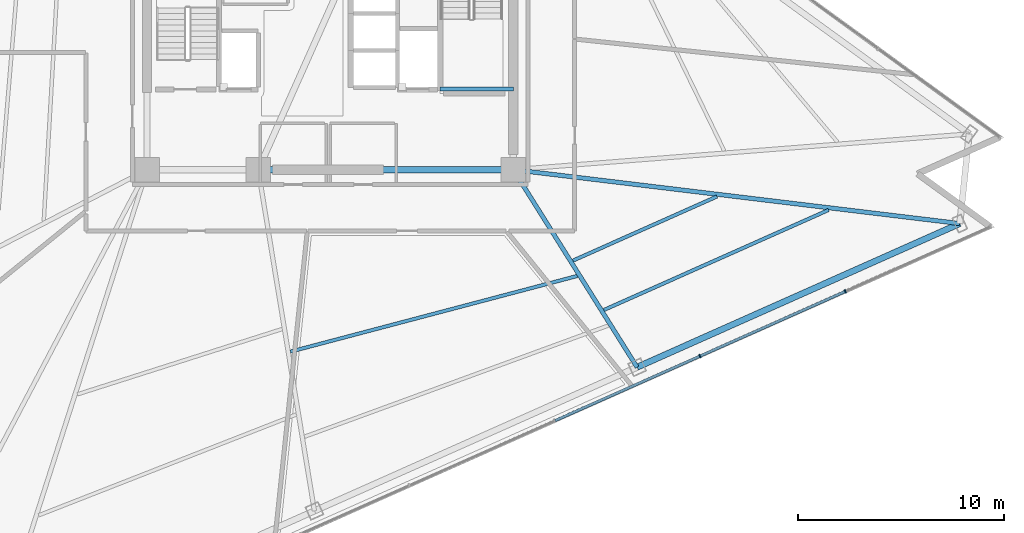
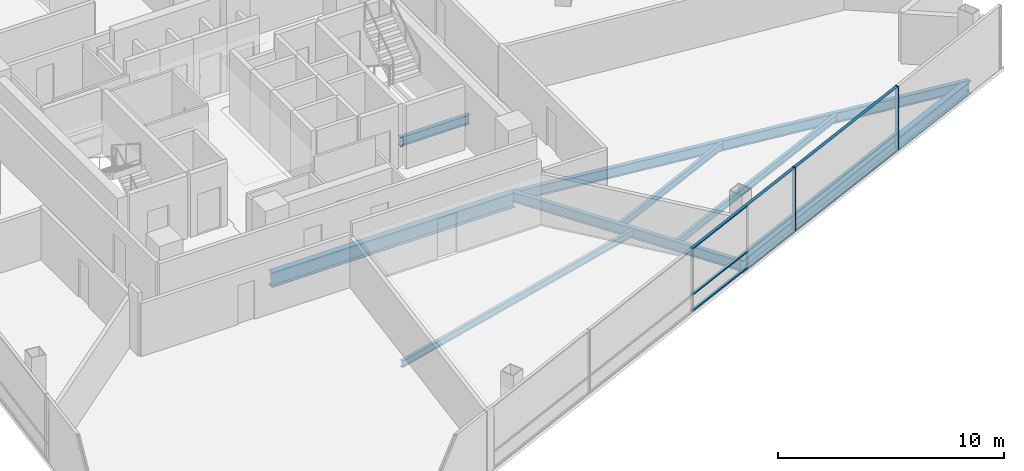
# One storey, part 5 of 17: 8 beams, 8 members, 1 element without a shape of its own.
"""IFC4 building model written with IfcOpenShell, lengths in metres."""

import ifcopenshell
import ifcopenshell.guid

model = None  # the IFC model being written
_history = None  # IfcOwnerHistory: only IFC2X3 demands one
_inside = {}  # id of a spatial element -> (the spatial element, [elements in it])
_under = {}  # id of a project, library or spatial element -> (it, [spatial elements below it])
_declared = {}  # id of a project -> (the project, [libraries it declares])
_typed = {}  # id of a type object -> (the type object, [elements of that type])
_made_of = {}  # id of a material, layer set ... -> (it, [elements and type objects made of it])


def new_model(schema):
    """Start an empty IFC model of exactly this schema.

    Asked for "IFC4X3", IfcOpenShell would pick the latest addendum, in which some entities
    have other attributes; the version numbers below select the first issue.
    IFC2X3 requires an IfcOwnerHistory on every rooted entity: one is made here for all.
    """
    global model, _history
    if schema == "IFC4X3":
        model = ifcopenshell.file(schema_version=(4, 3, 0, 0))
    else:
        model = ifcopenshell.file(schema=schema)
    _inside.clear()
    _under.clear()
    _declared.clear()
    _typed.clear()
    _made_of.clear()
    _history = None
    if model.schema == "IFC2X3":
        org = make("IfcOrganization", Name="unknown")
        user = make(
            "IfcPersonAndOrganization",
            ThePerson=make("IfcPerson", FamilyName="unknown"),
            TheOrganization=org,
        )
        app = make(
            "IfcApplication",
            ApplicationDeveloper=org,
            Version="unknown",
            ApplicationFullName="unknown",
            ApplicationIdentifier="unknown",
        )
        _history = make(
            "IfcOwnerHistory",
            OwningUser=user,
            OwningApplication=app,
            ChangeAction="ADDED",
            CreationDate=0,
        )
    return model


def make(cls, **values):
    """One entity of the class cls with the attributes given. An attribute that is None is left unset."""
    return model.create_entity(
        cls, **{name: value for name, value in values.items() if value is not None}
    )


def rooted(cls, **values):
    """An entity with a GlobalId (a new one), such as an element, a storey or a relation."""
    return make(cls, GlobalId=ifcopenshell.guid.new(), OwnerHistory=_history, **values)


def si_unit(unit_type, name, prefix=None):
    """IfcSIUnit, for example si_unit("LENGTHUNIT", "METRE", prefix="MILLI")."""
    return make("IfcSIUnit", UnitType=unit_type, Prefix=prefix, Name=name)


def assignment(units):
    """IfcUnitAssignment: the units of a project."""
    return None if units is None else make("IfcUnitAssignment", Units=units)


def point(xyz):
    """IfcCartesianPoint."""
    return None if xyz is None else make("IfcCartesianPoint", Coordinates=xyz)


def direction(xyz):
    """IfcDirection."""
    return None if xyz is None else make("IfcDirection", DirectionRatios=xyz)


def frame(location, z_axis=None, x_axis=None):
    """IfcAxis2Placement3D, a coordinate frame: its origin and axes. An axis left out is left unset."""
    return make(
        "IfcAxis2Placement3D",
        Location=point(location),
        Axis=direction(z_axis),
        RefDirection=direction(x_axis),
    )


def frame_2d(location, x_axis=None):
    """IfcAxis2Placement2D, a coordinate frame in the plane: its origin and x axis."""
    return make(
        "IfcAxis2Placement2D", Location=point(location), RefDirection=direction(x_axis)
    )


def origin():
    """The frame at (0, 0, 0) with its axes left unset."""
    return frame((0.0, 0.0, 0.0))


def origin_2d():
    """The frame at (0, 0) in the plane with its x axis left unset."""
    return frame_2d((0.0, 0.0))


def place(relative_to, where):
    """IfcLocalPlacement: puts the frame where relative to a parent placement (None: the world)."""
    return make(
        "IfcLocalPlacement", PlacementRelTo=relative_to, RelativePlacement=where
    )


def context(
    kind, dimensions, precision=None, world=None, true_north=None, identifier=None
):
    """IfcGeometricRepresentationContext, for example the 3D "Model" context."""
    return make(
        "IfcGeometricRepresentationContext",
        ContextIdentifier=identifier,
        ContextType=kind,
        CoordinateSpaceDimension=dimensions,
        Precision=precision,
        WorldCoordinateSystem=world,
        TrueNorth=true_north,
    )


def subcontext(parent, identifier, kind, view, scale=None):
    """IfcGeometricRepresentationSubContext, for example "Body" below "Model"."""
    return make(
        "IfcGeometricRepresentationSubContext",
        ContextIdentifier=identifier,
        ContextType=kind,
        ParentContext=parent,
        TargetScale=scale,
        TargetView=view,
    )


def project(units=None, contexts=None):
    """IfcProject with its units and contexts."""
    return rooted(
        "IfcProject",
        Name="project",
        RepresentationContexts=contexts,
        UnitsInContext=assignment(units),
    )


def spatial(cls, under=None, at=None, **own):
    """A site, building, storey or space (cls), placed at a placement, below another one or the project."""
    s = rooted(cls, ObjectPlacement=at, **own)
    if under is not None:
        _under.setdefault(under.id(), (under, []))[1].append(s)
    return s


def profile(cls, at=None, kind="AREA", **sizes):
    """A parametric profile (cls). Its sizes go by their IFC names, for example OverallWidth=200.0."""
    return make(cls, ProfileType=kind, Position=at, **sizes)


def rectangle(**sizes):
    """IfcRectangleProfileDef."""
    return profile("IfcRectangleProfileDef", **sizes)


def i_section(**sizes):
    """IfcIShapeProfileDef."""
    return profile("IfcIShapeProfileDef", **sizes)


def extrude(swept, where, along, depth):
    """IfcExtrudedAreaSolid: the profile swept, set in the frame where, extruded along a direction by depth."""
    return make(
        "IfcExtrudedAreaSolid",
        SweptArea=swept,
        Position=where,
        ExtrudedDirection=direction(along),
        Depth=depth,
    )


def shape(context_of_items, identifier, shape_type, items):
    """IfcShapeRepresentation: the items that make up one representation, for example the "Body"."""
    return make(
        "IfcShapeRepresentation",
        ContextOfItems=context_of_items,
        RepresentationIdentifier=identifier,
        RepresentationType=shape_type,
        Items=items,
    )


def material(Name=None, Category=None):
    """IfcMaterial."""
    return make("IfcMaterial", Name=Name, Category=Category)


def layer(
    of_material, thickness, ventilated=None, Name=None, Category=None, Priority=None
):
    """IfcMaterialLayer: one layer of a wall or slab, of a material (None: an air gap)."""
    return make(
        "IfcMaterialLayer",
        Material=of_material,
        LayerThickness=thickness,
        IsVentilated=ventilated,
        Name=Name,
        Category=Category,
        Priority=Priority,
    )


def layer_set(layers, Name=None):
    """IfcMaterialLayerSet."""
    return make("IfcMaterialLayerSet", MaterialLayers=layers, LayerSetName=Name)


def material_profile(
    of_material, cross_section, Name=None, Category=None, Priority=None
):
    """IfcMaterialProfile: a cross section and its material."""
    return make(
        "IfcMaterialProfile",
        Name=Name,
        Material=of_material,
        Profile=cross_section,
        Priority=Priority,
        Category=Category,
    )


def profile_set(profiles, Name=None, composite=None):
    """IfcMaterialProfileSet."""
    return make(
        "IfcMaterialProfileSet",
        Name=Name,
        MaterialProfiles=profiles,
        CompositeProfile=composite,
    )


def made_of(thing, what):
    """Note that an element or type object is made of a material, layer set ...; save() writes the relation."""
    if what is not None:
        _made_of.setdefault(what.id(), (what, []))[1].append(thing)
    return thing


def type_object(cls, material=None, **own):
    """A type object (cls), such as IfcWallType, which elements share."""
    return made_of(rooted(cls, **own), material)


def element(
    cls,
    number,
    at=None,
    inside=None,
    cuts=None,
    type_object=None,
    material=None,
    context=None,
    identifier="Body",
    shape_type=None,
    held_by="IfcProductDefinitionShape",
    body=None,
    shapes=None,
    **own,
):
    """One element of the class cls, such as IfcWall. Its Tag is "e" and its number.

    at: its placement. inside: the storey or other place that contains it. cuts: it is an
    opening in that element (IfcRelVoidsElement). A single representation is given by context,
    identifier, shape_type and body (its items); several are given by shapes. held_by: the class
    of the entity that holds the representations. save() writes the other relations.
    """
    e = rooted(cls, Tag="e%d" % number, ObjectPlacement=at, **own)
    if body is not None:
        shapes = [shape(context, identifier, shape_type, body)]
    if shapes is not None:
        e.Representation = make(held_by, Representations=shapes)
    if inside is not None:
        _inside.setdefault(inside.id(), (inside, []))[1].append(e)
    if cuts is not None:
        rooted(
            "IfcRelVoidsElement", RelatingBuildingElement=cuts, RelatedOpeningElement=e
        )
    if type_object is not None:
        _typed.setdefault(type_object.id(), (type_object, []))[1].append(e)
    return made_of(e, material)


def aggregate(whole, parts):
    """IfcRelAggregates: a whole, such as a stair, and the parts it consists of."""
    return rooted("IfcRelAggregates", RelatingObject=whole, RelatedObjects=parts)


def save(model, path):
    """Write the relations noted so far, then the file.

    IfcRelAggregates (storeys below a building ...), IfcRelContainedInSpatialStructure (elements
    in a storey), IfcRelDefinesByType, IfcRelAssociatesMaterial and IfcRelDeclares: one each for
    every whole, place, type object, material and project.
    """
    for whole, parts in _under.values():
        aggregate(whole, parts)
    for where, things in _inside.values():
        rooted(
            "IfcRelContainedInSpatialStructure",
            RelatedElements=things,
            RelatingStructure=where,
        )
    for kind, things in _typed.values():
        rooted("IfcRelDefinesByType", RelatedObjects=things, RelatingType=kind)
    for what, things in _made_of.values():
        rooted("IfcRelAssociatesMaterial", RelatedObjects=things, RelatingMaterial=what)
    for by, libraries in _declared.values():
        rooted("IfcRelDeclares", RelatingContext=by, RelatedDefinitions=libraries)
    model.write(path)


model = new_model("IFC4")

# Units and contexts
model_context = context("Model", 3, precision=1e-05, world=origin(), true_north=direction((0.0, 1.0)))
body_context = subcontext(model_context, "Body", "Model", "MODEL_VIEW")
ifc_project = project(units=[si_unit("LENGTHUNIT", "METRE"), si_unit("AREAUNIT", "SQUARE_METRE"), si_unit("VOLUMEUNIT", "CUBIC_METRE"), si_unit("PLANEANGLEUNIT", "RADIAN"), si_unit("MASSUNIT", "GRAM", prefix="KILO")], contexts=[model_context])

# Site, building, storey
site_placement = place(None, origin())
site = spatial("IfcSite", under=ifc_project, at=site_placement, CompositionType="ELEMENT")
building_placement = place(site_placement, origin())
building = spatial("IfcBuilding", under=site, at=building_placement, Name="Tharavind Bronze Gate", CompositionType="ELEMENT")
storey_placement = place(building_placement, frame((0.0, 0.0, 119.64990234375)))
storey = spatial("IfcBuildingStorey", under=building, at=storey_placement, Name="L30", CompositionType="ELEMENT", Elevation=119.64990234375)

# Curtain wall, members
ifc_material_1 = material(Name="Anodised Bronze Aluminium", Category="aluminium")
ifc_layer = layer(ifc_material_1, 0.219970703125)
ifc_layer_set = layer_set([ifc_layer], Name="Anodised Bronze Aluminium")
curtain_wall_type = type_object("IfcCurtainWallType", Name="UNITISED CURTAIN WALL LOWER OFFICE", PredefinedType="USERDEFINED", material=ifc_layer_set)
curtain_wall_placement = place(storey_placement, origin())
curtain_wall = element("IfcCurtainWall", 1, at=curtain_wall_placement, inside=storey, type_object=curtain_wall_type, Name="L30 unitised curtain wall lower office CW-L30-S2", ObjectType="UNITISED CURTAIN WALL", PredefinedType="USERDEFINED")
member_type_1 = type_object("IfcMemberType", Name="CURTAIN WALL BRONZE MULLION 65X180", PredefinedType="MULLION", material=ifc_material_1)
member_1_placement = place(storey_placement, frame((17.9755859375, -16.664306640625, 0.0), z_axis=(0.0, 0.0, 1.0), x_axis=(0.913545457643, 0.406736643076, 0.0)))
member_1 = element("IfcMember", 2, at=member_1_placement, type_object=member_type_1, Name="CW-L30-S2 mullion 6", PredefinedType="MULLION", context=body_context, shape_type="SweptSolid", body=[
    extrude(rectangle(XDim=0.06494140625, YDim=0.179931640625, at=origin_2d()), origin(), (0.0, 0.0, 1.0), 3.409912109375),
])
member_2_placement = place(storey_placement, frame((25.03759765625, -13.520263671875, 0.0), z_axis=(0.0, 0.0, 1.0), x_axis=(0.913545457643, 0.406736643076, 0.0)))
member_2 = element("IfcMember", 3, at=member_2_placement, type_object=member_type_1, Name="CW-L30-S2 mullion 7", PredefinedType="MULLION", context=body_context, shape_type="SweptSolid", body=[
    extrude(rectangle(XDim=0.06494140625, YDim=0.179931640625, at=origin_2d()), origin(), (0.0, 0.0, 1.0), 3.409912109375),
])
member_type_2 = type_object("IfcMemberType", Name="CURTAIN WALL BRONZE TRANSOM 65X140", PredefinedType="USERDEFINED", material=ifc_material_1)
member_3_placement = place(storey_placement, frame((14.4443359375, -18.236572265625, 0.000244140625), z_axis=(0.0, 0.0, 1.0), x_axis=(0.913545457643, 0.406736643076, 0.0)))
member_3 = element("IfcMember", 4, at=member_3_placement, type_object=member_type_2, Name="CW-L30-S2 transom TB5", ObjectType="TRANSOM", PredefinedType="USERDEFINED", context=body_context, shape_type="SweptSolid", body=[
    extrude(rectangle(XDim=7.677490234375, YDim=0.139892578125, at=origin_2d()), origin(), (0.0, 0.0, 1.0), 0.06494140625),
])
member_4_placement = place(storey_placement, frame((14.4443359375, -18.236572265625, 0.86767578125), z_axis=(0.0, 0.0, 1.0), x_axis=(0.913545457643, 0.406736643076, 0.0)))
member_4 = element("IfcMember", 5, at=member_4_placement, type_object=member_type_2, Name="CW-L30-S2 transom TS5", ObjectType="TRANSOM", PredefinedType="USERDEFINED", context=body_context, shape_type="SweptSolid", body=[
    extrude(rectangle(XDim=7.677490234375, YDim=0.139892578125, at=origin_2d()), origin(), (0.0, 0.0, 1.0), 0.06494140625),
])
member_5_placement = place(storey_placement, frame((14.4443359375, -18.236572265625, 3.34521484375), z_axis=(0.0, 0.0, 1.0), x_axis=(0.913545457643, 0.406736643076, 0.0)))
member_5 = element("IfcMember", 6, at=member_5_placement, type_object=member_type_2, Name="CW-L30-S2 transom TT5", ObjectType="TRANSOM", PredefinedType="USERDEFINED", context=body_context, shape_type="SweptSolid", body=[
    extrude(rectangle(XDim=7.677490234375, YDim=0.139892578125, at=origin_2d()), origin(), (0.0, 0.0, 1.0), 0.06494140625),
])
member_6_placement = place(storey_placement, frame((21.506591796875, -15.09228515625, 0.000244140625), z_axis=(0.0, 0.0, 1.0), x_axis=(0.913545457643, 0.406736643076, 0.0)))
member_6 = element("IfcMember", 7, at=member_6_placement, type_object=member_type_2, Name="CW-L30-S2 transom TB6", ObjectType="TRANSOM", PredefinedType="USERDEFINED", context=body_context, shape_type="SweptSolid", body=[
    extrude(rectangle(XDim=7.677490234375, YDim=0.139892578125, at=origin_2d()), origin(), (0.0, 0.0, 1.0), 0.06494140625),
])
member_7_placement = place(storey_placement, frame((21.506591796875, -15.09228515625, 0.86767578125), z_axis=(0.0, 0.0, 1.0), x_axis=(0.913545457643, 0.406736643076, 0.0)))
member_7 = element("IfcMember", 8, at=member_7_placement, type_object=member_type_2, Name="CW-L30-S2 transom TS6", ObjectType="TRANSOM", PredefinedType="USERDEFINED", context=body_context, shape_type="SweptSolid", body=[
    extrude(rectangle(XDim=7.677490234375, YDim=0.139892578125, at=origin_2d()), origin(), (0.0, 0.0, 1.0), 0.06494140625),
])
member_8_placement = place(storey_placement, frame((21.506591796875, -15.09228515625, 3.34521484375), z_axis=(0.0, 0.0, 1.0), x_axis=(0.913545457643, 0.406736643076, 0.0)))
member_8 = element("IfcMember", 9, at=member_8_placement, type_object=member_type_2, Name="CW-L30-S2 transom TT6", ObjectType="TRANSOM", PredefinedType="USERDEFINED", context=body_context, shape_type="SweptSolid", body=[
    extrude(rectangle(XDim=7.677490234375, YDim=0.139892578125, at=origin_2d()), origin(), (0.0, 0.0, 1.0), 0.06494140625),
])
aggregate(curtain_wall, [member_1, member_2, member_3, member_4, member_5, member_6, member_7, member_8])

# Beams
ifc_material_2 = material(Name="Steel S355", Category="steel")
ifc_material_profile_1 = material_profile(ifc_material_2, i_section(OverallWidth=0.199951171875, OverallDepth=0.5, WebThickness=0.01025390625, FlangeThickness=0.01611328125, at=origin_2d()), Name="IPE500")
ifc_profile_set_1 = profile_set([ifc_material_profile_1], Name="Steel S355")
beam_type_1 = type_object("IfcBeamType", Name="PRIMARY GIRDER IPE500", PredefinedType="USERDEFINED", material=ifc_profile_set_1)
beam_1_placement = place(storey_placement, frame((5.35009765625, -3.679931640625, 1.35009765625), z_axis=(1.0, 0.0, 0.0), x_axis=(0.0, 1.0, 0.0)))
element("IfcBeam", 10, at=beam_1_placement, inside=storey, type_object=beam_type_1, Name="L30 primary girder ipe500 BM-LD-ST2-L30-1", ObjectType="GIRDER", PredefinedType="USERDEFINED", context=body_context, shape_type="SweptSolid", body=[
    extrude(i_section(OverallWidth=0.199951171875, OverallDepth=0.5, WebThickness=0.01025390625, FlangeThickness=0.01611328125, at=origin_2d()), origin(), (0.0, 0.0, 1.0), 3.5498046875),
])
ifc_material_profile_2 = material_profile(ifc_material_2, i_section(OverallWidth=0.2099609375, OverallDepth=0.550048828125, WebThickness=0.010986328125, FlangeThickness=0.01708984375, at=origin_2d()), Name="IPE550")
ifc_profile_set_2 = profile_set([ifc_material_profile_2], Name="Steel S355")
beam_type_2 = type_object("IfcBeamType", Name="PRIMARY GIRDER IPE550", PredefinedType="USERDEFINED", material=ifc_profile_set_2)
beam_2_placement = place(storey_placement, frame((14.9208984375, -17.20361328125, -0.46484375), z_axis=(-0.531191038732, 0.84725207605, 0.0), x_axis=(-0.84725207605, -0.531191038732, 0.0)))
element("IfcBeam", 11, at=beam_2_placement, inside=storey, type_object=beam_type_2, Name="L30 primary girder ipe550 BM-L30-RAD07", ObjectType="GIRDER", PredefinedType="USERDEFINED", context=body_context, shape_type="SweptSolid", body=[
    extrude(i_section(OverallWidth=0.2099609375, OverallDepth=0.550048828125, WebThickness=0.010986328125, FlangeThickness=0.01708984375, at=origin_2d()), origin(), (0.0, 0.0, 1.0), 11.3349609375),
])
beam_3_placement = place(storey_placement, frame((30.60791015625, -10.218994140625, -0.46484375), z_axis=(-0.992801245425, 0.119773482384, 0.0), x_axis=(-0.119773482384, -0.992801245425, 0.0)))
element("IfcBeam", 12, at=beam_3_placement, inside=storey, type_object=beam_type_2, Name="L30 primary girder ipe550 BM-L30-RAD08", ObjectType="GIRDER", PredefinedType="USERDEFINED", context=body_context, shape_type="SweptSolid", body=[
    extrude(i_section(OverallWidth=0.2099609375, OverallDepth=0.550048828125, WebThickness=0.010986328125, FlangeThickness=0.01708984375, at=origin_2d()), origin(), (0.0, 0.0, 1.0), 21.865478515625),
])
ifc_material_profile_3 = material_profile(ifc_material_2, i_section(OverallWidth=0.300048828125, OverallDepth=0.699951171875, WebThickness=0.01708984375, FlangeThickness=0.031982421875, at=origin_2d()), Name="HE700B")
ifc_profile_set_3 = profile_set([ifc_material_profile_3], Name="Steel S355")
beam_type_3 = type_object("IfcBeamType", Name="RING GIRDER HE700B", PredefinedType="USERDEFINED", material=ifc_profile_set_3)
beam_4_placement = place(storey_placement, frame((14.9208984375, -17.20361328125, -0.539794921875), z_axis=(0.913538716284, 0.406751784078, 0.0), x_axis=(-0.406751784078, 0.913538716284, 0.0)))
element("IfcBeam", 13, at=beam_4_placement, inside=storey, type_object=beam_type_3, Name="L30 ring girder he700b BM-L30-PRG07", ObjectType="GIRDER", PredefinedType="USERDEFINED", context=body_context, shape_type="SweptSolid", body=[
    extrude(i_section(OverallWidth=0.300048828125, OverallDepth=0.699951171875, WebThickness=0.01708984375, FlangeThickness=0.031982421875, at=origin_2d()), origin(), (0.0, 0.0, 1.0), 17.171630859375),
])
ifc_material_profile_4 = material_profile(ifc_material_2, i_section(OverallWidth=0.300048828125, OverallDepth=0.800048828125, WebThickness=0.017578125, FlangeThickness=0.032958984375, at=origin_2d()), Name="HE800B")
ifc_profile_set_4 = profile_set([ifc_material_profile_4], Name="Steel S355")
beam_type_4 = type_object("IfcBeamType", Name="RING GIRDER HE800B", PredefinedType="USERDEFINED", material=ifc_profile_set_4)
beam_5_placement = place(storey_placement, frame((-3.5, -7.60009765625, -0.58984375), z_axis=(1.0, 0.0, 0.0), x_axis=(0.0, 1.0, 0.0)))
element("IfcBeam", 14, at=beam_5_placement, inside=storey, type_object=beam_type_4, Name="L30 ring girder he800b BM-L30-CR2", ObjectType="GIRDER", PredefinedType="USERDEFINED", context=body_context, shape_type="SweptSolid", body=[
    extrude(i_section(OverallWidth=0.300048828125, OverallDepth=0.800048828125, WebThickness=0.017578125, FlangeThickness=0.032958984375, at=origin_2d()), origin(), (0.0, 0.0, 1.0), 12.39990234375),
])
ifc_material_profile_5 = material_profile(ifc_material_2, i_section(OverallWidth=0.169921875, OverallDepth=0.360107421875, WebThickness=0.008056640625, FlangeThickness=0.0126953125, at=origin_2d()), Name="IPE360")
ifc_profile_set_5 = profile_set([ifc_material_profile_5], Name="Steel S355")
beam_type_5 = type_object("IfcBeamType", Name="SECONDARY FLOOR JOIST IPE360", PredefinedType="JOIST", material=ifc_profile_set_5)
beam_6_placement = place(storey_placement, frame((-1.931640625, -16.446533203125, -0.369873046875), z_axis=(0.966897979759, 0.255163274667, 0.0), x_axis=(-0.255163274667, 0.966897979759, 0.0)))
element("IfcBeam", 15, at=beam_6_placement, inside=storey, type_object=beam_type_5, Name="L30 secondary floor joist ipe360 BM-L30-JSTA06", PredefinedType="JOIST", context=body_context, shape_type="SweptSolid", body=[
    extrude(i_section(OverallWidth=0.169921875, OverallDepth=0.360107421875, WebThickness=0.008056640625, FlangeThickness=0.0126953125, at=origin_2d()), origin(), (0.0, 0.0, 1.0), 14.419921875),
])
beam_7_placement = place(storey_placement, frame((11.80029296875, -12.02099609375, -0.369873046875), z_axis=(0.913531613224, 0.406767736725, 0.0), x_axis=(-0.406767736725, 0.913531613224, 0.0)))
element("IfcBeam", 16, at=beam_7_placement, inside=storey, type_object=beam_type_5, Name="L30 secondary floor joist ipe360 BM-L30-JSTA07", PredefinedType="JOIST", context=body_context, shape_type="SweptSolid", body=[
    extrude(i_section(OverallWidth=0.169921875, OverallDepth=0.360107421875, WebThickness=0.008056640625, FlangeThickness=0.0126953125, at=origin_2d()), origin(), (0.0, 0.0, 1.0), 7.666259765625),
])
beam_8_placement = place(storey_placement, frame((13.305419921875, -14.421630859375, -0.369873046875), z_axis=(0.913552919098, 0.406719883959, 0.0), x_axis=(-0.406719883959, 0.913552919098, 0.0)))
element("IfcBeam", 17, at=beam_8_placement, inside=storey, type_object=beam_type_5, Name="L30 secondary floor joist ipe360 BM-L30-JSTB07", PredefinedType="JOIST", context=body_context, shape_type="SweptSolid", body=[
    extrude(i_section(OverallWidth=0.169921875, OverallDepth=0.360107421875, WebThickness=0.008056640625, FlangeThickness=0.0126953125, at=origin_2d()), origin(), (0.0, 0.0, 1.0), 11.959228515625),
])

save(model, "model.ifc")
